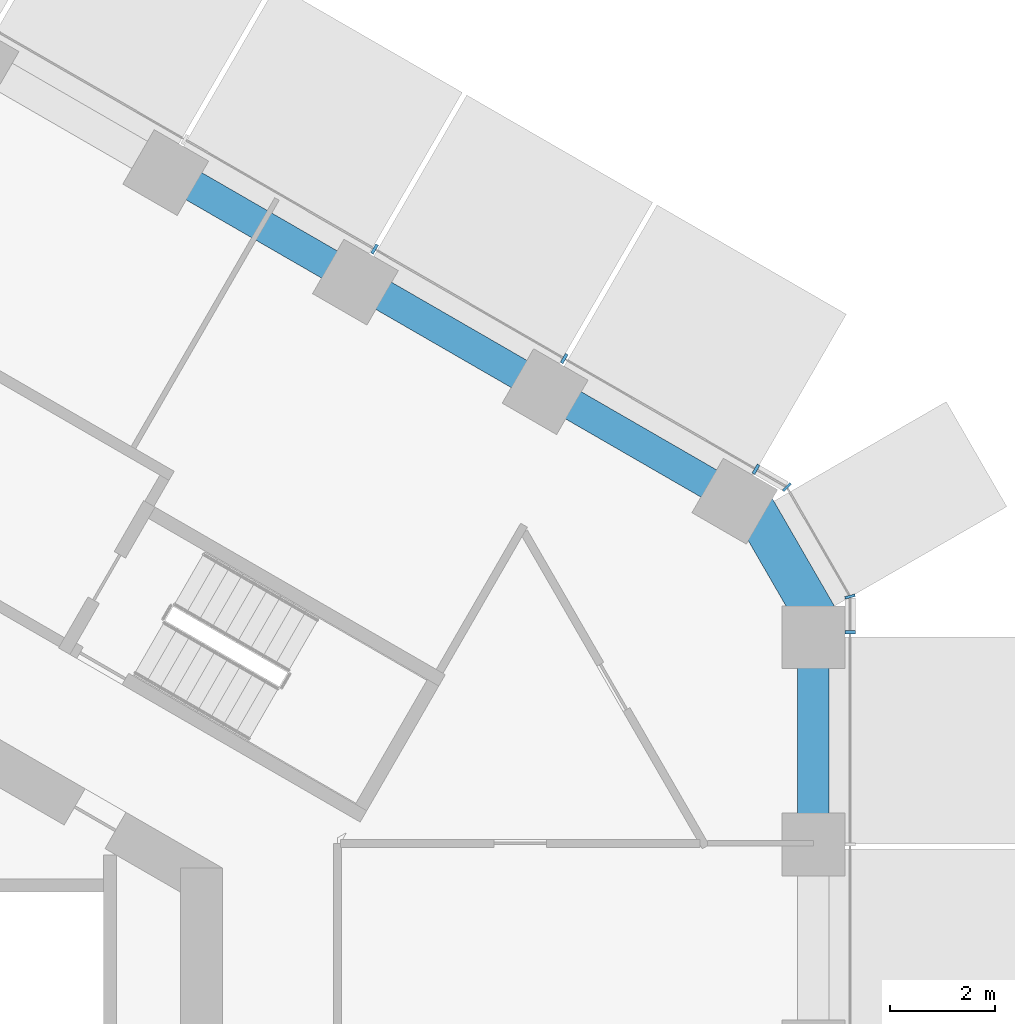
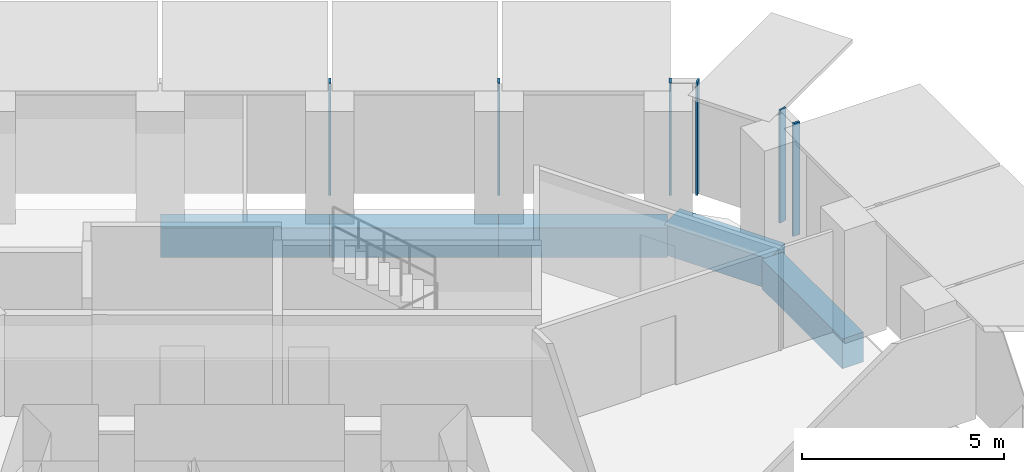
# One storey, part 6 of 19: 6 members, 5 beams, 3 elements without a shape of their own.
"""IFC4 building model written with IfcOpenShell, lengths in metres."""

from ifc_helpers import new_model, si_unit, direction, frame, origin, origin_2d, place, context, subcontext, project, spatial, rectangle, extrude, material, layer, layer_set, material_profile, profile_set, type_object, element, aggregate, save


model = new_model("IFC4")

# Units and contexts
model_context = context("Model", 3, precision=1e-05, world=origin(), true_north=direction((0.0, 1.0)))
body_context = subcontext(model_context, "Body", "Model", "MODEL_VIEW")
ifc_project = project(units=[si_unit("LENGTHUNIT", "METRE"), si_unit("AREAUNIT", "SQUARE_METRE"), si_unit("VOLUMEUNIT", "CUBIC_METRE"), si_unit("PLANEANGLEUNIT", "RADIAN"), si_unit("MASSUNIT", "GRAM", prefix="KILO")], contexts=[model_context])

# Site, building, storey
site_placement = place(None, origin())
site = spatial("IfcSite", under=ifc_project, at=site_placement, CompositionType="ELEMENT")
building_placement = place(site_placement, origin())
building = spatial("IfcBuilding", under=site, at=building_placement, Name="Ayvan Gate Tower", CompositionType="ELEMENT")
storey_placement = place(building_placement, frame((0.0, 0.0, 42.5)))
storey = spatial("IfcBuildingStorey", under=building, at=storey_placement, Name="L10", CompositionType="ELEMENT", Elevation=42.5)

# Beams
ifc_material_1 = material(Name="Concrete C40/50", Category="concrete")
ifc_material_profile_1 = material_profile(ifc_material_1, rectangle(XDim=0.800048828125, YDim=0.89990234375, at=origin_2d()), Name="RC 800x900")
ifc_profile_set_1 = profile_set([ifc_material_profile_1], Name="Concrete C40/50")
beam_type_1 = type_object("IfcBeamType", Name="Corner spandrel beam RC 800x900 C40/50", PredefinedType="BEAM", material=ifc_profile_set_1)
beam_1_placement = place(storey_placement, frame((20.97509765625, 10.051513671875, -0.800048828125), z_axis=(-0.50002537861, 0.866010750942, 0.0), x_axis=(-0.866010750942, -0.50002537861, 0.0)))
element("IfcBeam", 1, at=beam_1_placement, inside=storey, type_object=beam_type_1, Name="SB-L10-6", PredefinedType="BEAM", context=body_context, shape_type="SweptSolid", body=[
    extrude(rectangle(XDim=0.800048828125, YDim=0.89990234375, at=origin_2d()), origin(), (0.0, 0.0, 1.0), 2.999755859375),
])
ifc_material_profile_2 = material_profile(ifc_material_1, rectangle(XDim=0.60009765625, YDim=0.89990234375, at=origin_2d()), Name="RC 600x900")
ifc_profile_set_2 = profile_set([ifc_material_profile_2], Name="Concrete C40/50")
beam_type_2 = type_object("IfcBeamType", Name="Spandrel beam RC 600x900 C40/50", PredefinedType="BEAM", material=ifc_profile_set_2)
beam_2_placement = place(storey_placement, frame((20.78466796875, 5.96484375, -0.800048828125), z_axis=(0.0, 1.0, 0.0), x_axis=(-1.0, 0.0, 0.0)))
element("IfcBeam", 2, at=beam_2_placement, inside=storey, type_object=beam_type_2, Name="SB-L10-5", PredefinedType="BEAM", context=body_context, shape_type="SweptSolid", body=[
    extrude(rectangle(XDim=0.60009765625, YDim=0.89990234375, at=origin_2d()), origin(), (0.0, 0.0, 1.0), 3.9765625),
])
for number, where, z_axis, x_axis, name in (
    (3, (19.28466796875, 12.53955078125, -0.800048828125), (-0.866034558547, 0.499984143151, 0.0), (-0.499984143151, -0.866034558547, 0.0), "SB-L10-7"),
    (4, (15.671142578125, 14.625732421875, -0.800048828125), (-0.866034558547, 0.499984143151, 0.0), (-0.499984143151, -0.866034558547, 0.0), "SB-L10-8"),
    (5, (12.0576171875, 16.7119140625, -0.800048828125), (-0.866009222318, 0.500028026075, 0.0), (-0.500028026075, -0.866009222318, 0.0), "SB-L10-9"),
):
    element("IfcBeam", number, at=place(storey_placement, frame(where, z_axis=z_axis, x_axis=x_axis)), inside=storey, type_object=beam_type_2, Name=name, PredefinedType="BEAM", context=body_context, shape_type="SweptSolid", body=[
        extrude(rectangle(XDim=0.60009765625, YDim=0.89990234375, at=origin_2d()), origin(), (0.0, 0.0, 1.0), 4.172607421875),
    ])

# Curtain wall, member
ifc_material_2 = material(Name="Bronze anodised aluminium", Category="aluminium")
ifc_layer_1 = layer(ifc_material_2, 0.199951171875)
ifc_layer_set_1 = layer_set([ifc_layer_1], Name="Bronze anodised aluminium")
curtain_wall_type_1 = type_object("IfcCurtainWallType", Name="Stick curtain wall CW-1", PredefinedType="NOTDEFINED", material=ifc_layer_set_1)
curtain_wall_1_placement = place(storey_placement, origin())
curtain_wall_1 = element("IfcCurtainWall", 6, at=curtain_wall_1_placement, inside=storey, type_object=curtain_wall_type_1, Name="Stick curtain wall CW-1 L10", PredefinedType="NOTDEFINED")
ifc_material_profile_3 = material_profile(ifc_material_2, rectangle(XDim=0.199951171875, YDim=0.06005859375, at=origin_2d()), Name="Stick curtain wall CW-1 mullion 200 x 60")
ifc_profile_set_3 = profile_set([ifc_material_profile_3], Name="Bronze anodised aluminium")
member_type_1 = type_object("IfcMemberType", Name="Stick curtain wall CW-1 mullion 200 x 60", PredefinedType="MULLION", material=ifc_profile_set_3)
member_1_placement = place(storey_placement, frame((21.484619140625, 9.987548828125, 0.0), z_axis=(0.0, 0.0, 1.0), x_axis=(1.0, 0.0, 0.0)))
member_1 = element("IfcMember", 7, at=member_1_placement, type_object=member_type_1, Name="CW-1 mullion 6", PredefinedType="MULLION", context=body_context, shape_type="SweptSolid", body=[
    extrude(rectangle(XDim=0.199951171875, YDim=0.06005859375, at=origin_2d()), origin(), (0.0, 0.0, 1.0), 3.39990234375),
])
aggregate(curtain_wall_1, [member_1])

# Curtain wall, members
curtain_wall_2_placement = place(storey_placement, origin())
curtain_wall_2 = element("IfcCurtainWall", 8, at=curtain_wall_2_placement, inside=storey, type_object=curtain_wall_type_1, Name="Stick curtain wall CW-1 L10", PredefinedType="NOTDEFINED")
member_2_placement = place(storey_placement, frame((19.6884765625, 13.0986328125, 0.0), z_axis=(0.0, 0.0, 1.0), x_axis=(0.5, 0.866025403784, 0.0)))
member_2 = element("IfcMember", 9, at=member_2_placement, type_object=member_type_1, Name="CW-1 mullion 1", PredefinedType="MULLION", context=body_context, shape_type="SweptSolid", body=[
    extrude(rectangle(XDim=0.199951171875, YDim=0.06005859375, at=origin_2d()), origin(), (0.0, 0.0, 1.0), 3.39990234375),
])
member_3_placement = place(storey_placement, frame((16.02685546875, 15.21240234375, 0.0), z_axis=(0.0, 0.0, 1.0), x_axis=(0.5, 0.866025403784, 0.0)))
member_3 = element("IfcMember", 10, at=member_3_placement, type_object=member_type_1, Name="CW-1 mullion 2", PredefinedType="MULLION", context=body_context, shape_type="SweptSolid", body=[
    extrude(rectangle(XDim=0.199951171875, YDim=0.06005859375, at=origin_2d()), origin(), (0.0, 0.0, 1.0), 3.39990234375),
])
member_4_placement = place(storey_placement, frame((12.4052734375, 17.303466796875, 0.0), z_axis=(0.0, 0.0, 1.0), x_axis=(0.5, 0.866025403784, 0.0)))
member_4 = element("IfcMember", 11, at=member_4_placement, type_object=member_type_1, Name="CW-1 mullion 3", PredefinedType="MULLION", context=body_context, shape_type="SweptSolid", body=[
    extrude(rectangle(XDim=0.199951171875, YDim=0.06005859375, at=origin_2d()), origin(), (0.0, 0.0, 1.0), 3.39990234375),
])
aggregate(curtain_wall_2, [member_2, member_3, member_4])

ifc_layer_2 = layer(ifc_material_2, 0.199951171875)
ifc_layer_set_2 = layer_set([ifc_layer_2], Name="Bronze anodised aluminium")
curtain_wall_type_2 = type_object("IfcCurtainWallType", Name="Stick curtain wall CW-6", PredefinedType="NOTDEFINED", material=ifc_layer_set_2)
curtain_wall_3_placement = place(storey_placement, origin())
curtain_wall_3 = element("IfcCurtainWall", 12, at=curtain_wall_3_placement, inside=storey, type_object=curtain_wall_type_2, Name="Stick curtain wall CW-6 L10", PredefinedType="NOTDEFINED")
ifc_material_profile_4 = material_profile(ifc_material_2, rectangle(XDim=0.199951171875, YDim=0.050048828125, at=origin_2d()), Name="Stick curtain wall CW-6 mullion 200 x 50")
ifc_profile_set_4 = profile_set([ifc_material_profile_4], Name="Bronze anodised aluminium")
member_type_2 = type_object("IfcMemberType", Name="Stick curtain wall CW-6 mullion 200 x 50", PredefinedType="MULLION", material=ifc_profile_set_4)
member_5_placement = place(storey_placement, frame((21.484619140625, 10.66748046875, 0.0), z_axis=(0.0, 0.0, 1.0), x_axis=(0.965925826289, 0.258819045103, 0.0)))
member_5 = element("IfcMember", 13, at=member_5_placement, type_object=member_type_2, Name="CW-6 mullion 2", PredefinedType="MULLION", context=body_context, shape_type="SweptSolid", body=[
    extrude(rectangle(XDim=0.199951171875, YDim=0.050048828125, at=origin_2d()), origin(), (0.0, 0.0, 1.0), 3.39990234375),
])
member_6_placement = place(storey_placement, frame((20.27734375, 12.758544921875, 0.0), z_axis=(0.0, 0.0, 1.0), x_axis=(0.707106781187, 0.707106781187, 0.0)))
member_6 = element("IfcMember", 14, at=member_6_placement, type_object=member_type_2, Name="CW-6 mullion 3", PredefinedType="MULLION", context=body_context, shape_type="SweptSolid", body=[
    extrude(rectangle(XDim=0.199951171875, YDim=0.050048828125, at=origin_2d()), origin(), (0.0, 0.0, 1.0), 3.39990234375),
])
aggregate(curtain_wall_3, [member_5, member_6])

save(model, "model.ifc")
